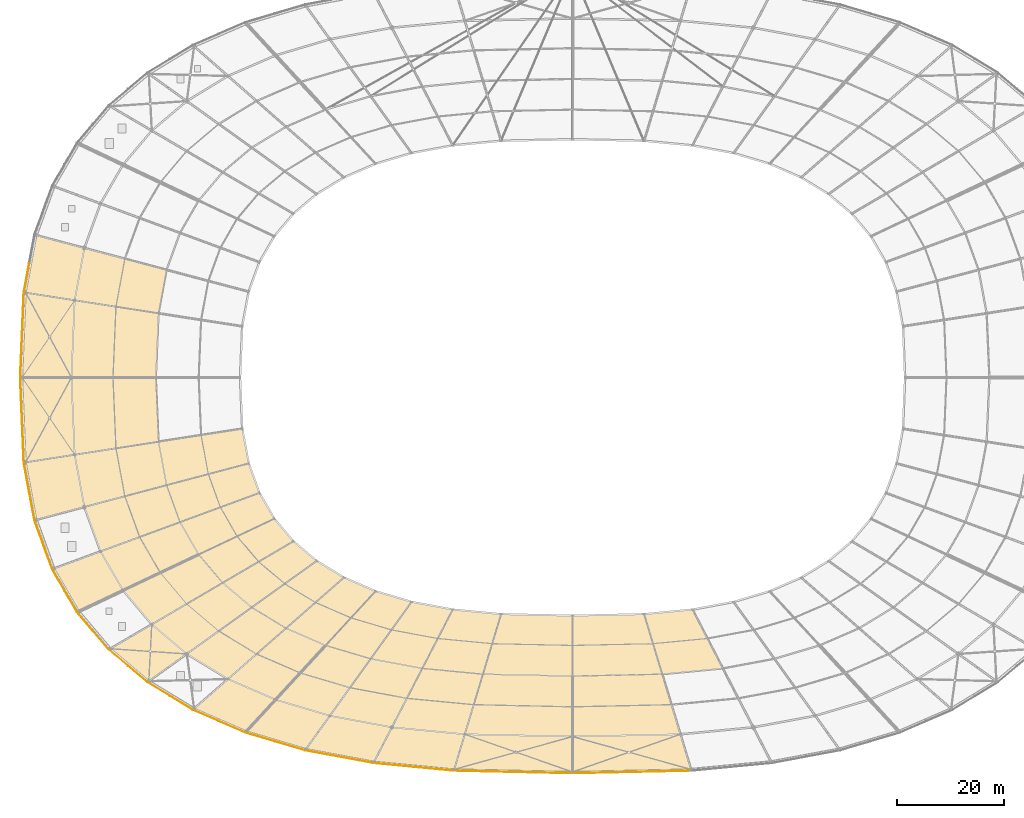
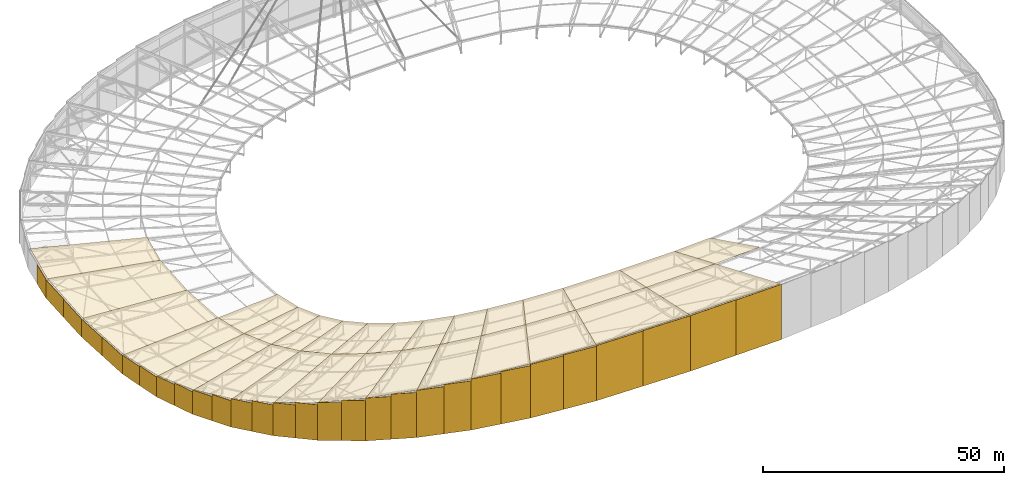
# One storey, part 140 of 143: 57 coverings.
"""IFC4 building model written with IfcOpenShell, lengths in metres."""

from ifc_helpers import new_model, si_unit, direction, frame, origin, origin_2d, place, context, subcontext, project, spatial, polyline, rectangle, outline, extrude, material, layer, layer_set, type_object, element, save


model = new_model("IFC4")

# Units and contexts
model_context = context("Model", 3, precision=1e-05, world=origin(), true_north=direction((0.0, 1.0)))
body_context = subcontext(model_context, "Body", "Model", "MODEL_VIEW")
ifc_project = project(units=[si_unit("LENGTHUNIT", "METRE"), si_unit("AREAUNIT", "SQUARE_METRE"), si_unit("VOLUMEUNIT", "CUBIC_METRE"), si_unit("PLANEANGLEUNIT", "RADIAN"), si_unit("MASSUNIT", "GRAM", prefix="KILO")], contexts=[model_context])

# Site, building, storey
site_placement = place(None, origin())
site = spatial("IfcSite", under=ifc_project, at=site_placement, CompositionType="ELEMENT")
building_placement = place(site_placement, origin())
building = spatial("IfcBuilding", under=site, at=building_placement, Name="Mphavela Belvedere Stadium", CompositionType="ELEMENT")
storey_placement = place(building_placement, frame((0.0, 0.0, 28.800048828125)))
storey = spatial("IfcBuildingStorey", under=building, at=storey_placement, Name="RF", CompositionType="ELEMENT", Elevation=28.800048828125)

# Coverings
ifc_material_1 = material(Name="Carved classical limestone entablature frieze cladding", Category="masonry")
ifc_layer_1 = layer(ifc_material_1, 0.06005859375)
ifc_layer_set_1 = layer_set([ifc_layer_1], Name="Carved classical limestone entablature frieze cladding")
covering_type_1 = type_object("IfcCoveringType", Name="COV-FRIEZE-CLAD", PredefinedType="CLADDING", material=ifc_layer_set_1)
covering_1_placement = place(storey_placement, frame((12.9970703125, 105.587158203125, 0.0), z_axis=(0.0, 0.0, 1.0), x_axis=(-0.182578735093, -0.983191235463, 0.0)))
element("IfcCovering", 1, at=covering_1_placement, inside=storey, type_object=covering_type_1, Name="Classical perforated limestone roof attic screen 23-2", PredefinedType="CLADDING", context=body_context, shape_type="SweptSolid", body=[
    extrude(rectangle(XDim=5.5087890625, YDim=0.080078125, at=origin_2d()), origin(), (0.0, 0.0, 1.0), 4.799560546875),
])
covering_2_placement = place(storey_placement, frame((12.330810546875, 98.924072265625, 0.0), z_axis=(0.0, 0.0, 1.0), x_axis=(-0.041875653729, -0.999122830099, 0.0)))
element("IfcCovering", 2, at=covering_2_placement, inside=storey, type_object=covering_type_1, Name="Classical perforated limestone roof attic screen 24-1", PredefinedType="CLADDING", context=body_context, shape_type="SweptSolid", body=[
    extrude(rectangle(XDim=7.996337890625, YDim=0.080078125, at=origin_2d()), origin(), (0.0, 0.0, 1.0), 4.638671875),
])
for number, where, z_axis, x_axis, name in (
    (3, (11.99755859375, 90.974609375, 0.0), (0.0, 0.0, 1.0), (-0.041875653729, -0.999122830099, 0.0), "Classical perforated limestone roof attic screen 24-2"),
    (4, (11.99755859375, 83.025390625, 0.0), (0.0, 0.0, 1.0), (0.041875653729, -0.999122830099, 0.0), "Classical perforated limestone roof attic screen 25-1"),
):
    element("IfcCovering", number, at=place(storey_placement, frame(where, z_axis=z_axis, x_axis=x_axis)), inside=storey, type_object=covering_type_1, Name=name, PredefinedType="CLADDING", context=body_context, shape_type="SweptSolid", body=[
        extrude(rectangle(XDim=7.996337890625, YDim=0.080078125, at=origin_2d()), origin(), (0.0, 0.0, 1.0), 4.556884765625),
    ])
covering_3_placement = place(storey_placement, frame((12.330810546875, 75.075927734375, 0.0), z_axis=(0.0, 0.0, 1.0), x_axis=(0.041875653729, -0.999122830099, 0.0)))
element("IfcCovering", 5, at=covering_3_placement, inside=storey, type_object=covering_type_1, Name="Classical perforated limestone roof attic screen 25-2", PredefinedType="CLADDING", context=body_context, shape_type="SweptSolid", body=[
    extrude(rectangle(XDim=7.996337890625, YDim=0.080078125, at=origin_2d()), origin(), (0.0, 0.0, 1.0), 4.638671875),
])
covering_4_placement = place(storey_placement, frame((12.9970703125, 68.41259765625, 0.0), z_axis=(0.0, 0.0, 1.0), x_axis=(0.182578735093, -0.983191235463, 0.0)))
element("IfcCovering", 6, at=covering_4_placement, inside=storey, type_object=covering_type_1, Name="Classical perforated limestone roof attic screen 26-1", PredefinedType="CLADDING", context=body_context, shape_type="SweptSolid", body=[
    extrude(rectangle(XDim=5.5087890625, YDim=0.080078125, at=origin_2d()), origin(), (0.0, 0.0, 1.0), 4.799560546875),
])
covering_5_placement = place(storey_placement, frame((13.995849609375, 63.03564453125, 0.0), z_axis=(0.0, 0.0, 1.0), x_axis=(0.182578735093, -0.983191235463, 0.0)))
element("IfcCovering", 7, at=covering_5_placement, inside=storey, type_object=covering_type_1, Name="Classical perforated limestone roof attic screen 26-2", PredefinedType="CLADDING", context=body_context, shape_type="SweptSolid", body=[
    extrude(rectangle(XDim=5.5087890625, YDim=0.080078125, at=origin_2d()), origin(), (0.0, 0.0, 1.0), 5.039306640625),
])
covering_6_placement = place(storey_placement, frame((15.3251953125, 58.0595703125, 0.0), z_axis=(0.0, 0.0, 1.0), x_axis=(0.341035912161, -0.940050268133, 0.0)))
element("IfcCovering", 8, at=covering_6_placement, inside=storey, type_object=covering_type_1, Name="Classical perforated limestone roof attic screen 27-1", PredefinedType="CLADDING", context=body_context, shape_type="SweptSolid", body=[
    extrude(rectangle(XDim=4.9072265625, YDim=0.080078125, at=origin_2d()), origin(), (0.0, 0.0, 1.0), 5.349853515625),
])
covering_7_placement = place(storey_placement, frame((16.985107421875, 53.484130859375, 0.0), z_axis=(0.0, 0.0, 1.0), x_axis=(0.341035912161, -0.940050268133, 0.0)))
element("IfcCovering", 9, at=covering_7_placement, inside=storey, type_object=covering_type_1, Name="Classical perforated limestone roof attic screen 27-2", PredefinedType="CLADDING", context=body_context, shape_type="SweptSolid", body=[
    extrude(rectangle(XDim=4.9072265625, YDim=0.080078125, at=origin_2d()), origin(), (0.0, 0.0, 1.0), 5.731201171875),
])
covering_8_placement = place(storey_placement, frame((18.972412109375, 49.19482421875, 0.0), z_axis=(0.0, 0.0, 1.0), x_axis=(0.500604477892, -0.865676126917, 0.0)))
element("IfcCovering", 10, at=covering_8_placement, inside=storey, type_object=covering_type_1, Name="Classical perforated limestone roof attic screen 28-1", PredefinedType="CLADDING", context=body_context, shape_type="SweptSolid", body=[
    extrude(rectangle(XDim=4.6640625, YDim=0.080078125, at=origin_2d()), origin(), (0.0, 0.0, 1.0), 6.17041015625),
])
covering_9_placement = place(storey_placement, frame((21.286865234375, 45.19189453125, 0.0), z_axis=(0.0, 0.0, 1.0), x_axis=(0.500604477892, -0.865676126917, 0.0)))
element("IfcCovering", 11, at=covering_9_placement, inside=storey, type_object=covering_type_1, Name="Classical perforated limestone roof attic screen 28-2", PredefinedType="CLADDING", context=body_context, shape_type="SweptSolid", body=[
    extrude(rectangle(XDim=4.6640625, YDim=0.080078125, at=origin_2d()), origin(), (0.0, 0.0, 1.0), 6.66748046875),
])
covering_10_placement = place(storey_placement, frame((23.92529296875, 41.436279296875, 0.0), z_axis=(0.0, 0.0, 1.0), x_axis=(0.645191033296, -0.764021289334, 0.0)))
element("IfcCovering", 12, at=covering_10_placement, inside=storey, type_object=covering_type_1, Name="Classical perforated limestone roof attic screen 29-1", PredefinedType="CLADDING", context=body_context, shape_type="SweptSolid", body=[
    extrude(rectangle(XDim=4.631103515625, YDim=0.080078125, at=origin_2d()), origin(), (0.0, 0.0, 1.0), 7.205322265625),
])
covering_11_placement = place(storey_placement, frame((26.887451171875, 37.928466796875, 0.0), z_axis=(0.0, 0.0, 1.0), x_axis=(0.645191033296, -0.764021289334, 0.0)))
element("IfcCovering", 13, at=covering_11_placement, inside=storey, type_object=covering_type_1, Name="Classical perforated limestone roof attic screen 29-2", PredefinedType="CLADDING", context=body_context, shape_type="SweptSolid", body=[
    extrude(rectangle(XDim=4.631103515625, YDim=0.080078125, at=origin_2d()), origin(), (0.0, 0.0, 1.0), 7.7841796875),
])
covering_12_placement = place(storey_placement, frame((30.17041015625, 34.654052734375, 0.0), z_axis=(0.0, 0.0, 1.0), x_axis=(0.764246456939, -0.644924300253, 0.0)))
element("IfcCovering", 14, at=covering_12_placement, inside=storey, type_object=covering_type_1, Name="Classical perforated limestone roof attic screen 30-1", PredefinedType="CLADDING", context=body_context, shape_type="SweptSolid", body=[
    extrude(rectangle(XDim=4.755126953125, YDim=0.080078125, at=origin_2d()), origin(), (0.0, 0.0, 1.0), 8.38427734375),
])
covering_13_placement = place(storey_placement, frame((33.77392578125, 31.61328125, 0.0), z_axis=(0.0, 0.0, 1.0), x_axis=(0.764246456939, -0.644924300253, 0.0)))
element("IfcCovering", 15, at=covering_13_placement, inside=storey, type_object=covering_type_1, Name="Classical perforated limestone roof attic screen 30-2", PredefinedType="CLADDING", context=body_context, shape_type="SweptSolid", body=[
    extrude(rectangle(XDim=4.755126953125, YDim=0.080078125, at=origin_2d()), origin(), (0.0, 0.0, 1.0), 9.00537109375),
])
covering_14_placement = place(storey_placement, frame((37.697509765625, 28.802001953125, 0.0), z_axis=(0.0, 0.0, 1.0), x_axis=(0.854368143929, -0.519668235165, 0.0)))
element("IfcCovering", 16, at=covering_14_placement, inside=storey, type_object=covering_type_1, Name="Classical perforated limestone roof attic screen 31-1", PredefinedType="CLADDING", context=body_context, shape_type="SweptSolid", body=[
    extrude(rectangle(XDim=5.0078125, YDim=0.080078125, at=origin_2d()), origin(), (0.0, 0.0, 1.0), 9.626708984375),
])
covering_15_placement = place(storey_placement, frame((41.941650390625, 26.219970703125, 0.0), z_axis=(0.0, 0.0, 1.0), x_axis=(0.854368143929, -0.519668235165, 0.0)))
element("IfcCovering", 17, at=covering_15_placement, inside=storey, type_object=covering_type_1, Name="Classical perforated limestone roof attic screen 31-2", PredefinedType="CLADDING", context=body_context, shape_type="SweptSolid", body=[
    extrude(rectangle(XDim=5.0078125, YDim=0.080078125, at=origin_2d()), origin(), (0.0, 0.0, 1.0), 10.247802734375),
])
covering_16_placement = place(storey_placement, frame((46.51171875, 23.867919921875, 0.0), z_axis=(0.0, 0.0, 1.0), x_axis=(0.917477140523, -0.397788507398, 0.0)))
element("IfcCovering", 18, at=covering_16_placement, inside=storey, type_object=covering_type_1, Name="Classical perforated limestone roof attic screen 32-1", PredefinedType="CLADDING", context=body_context, shape_type="SweptSolid", body=[
    extrude(rectangle(XDim=5.376220703125, YDim=0.080078125, at=origin_2d()), origin(), (0.0, 0.0, 1.0), 10.84765625),
])
covering_17_placement = place(storey_placement, frame((51.40771484375, 21.745361328125, 0.0), z_axis=(0.0, 0.0, 1.0), x_axis=(0.917477140523, -0.397788507398, 0.0)))
element("IfcCovering", 19, at=covering_17_placement, inside=storey, type_object=covering_type_1, Name="Classical perforated limestone roof attic screen 32-2", PredefinedType="CLADDING", context=body_context, shape_type="SweptSolid", body=[
    extrude(rectangle(XDim=5.376220703125, YDim=0.080078125, at=origin_2d()), origin(), (0.0, 0.0, 1.0), 11.426513671875),
])
covering_18_placement = place(storey_placement, frame((56.649169921875, 19.85498046875, 0.0), z_axis=(0.0, 0.0, 1.0), x_axis=(0.958670893355, -0.284517342588, 0.0)))
element("IfcCovering", 20, at=covering_18_placement, inside=storey, type_object=covering_type_1, Name="Classical perforated limestone roof attic screen 33-1", PredefinedType="CLADDING", context=body_context, shape_type="SweptSolid", body=[
    extrude(rectangle(XDim=5.867919921875, YDim=0.080078125, at=origin_2d()), origin(), (0.0, 0.0, 1.0), 11.964599609375),
])
covering_19_placement = place(storey_placement, frame((62.236083984375, 18.196533203125, 0.0), z_axis=(0.0, 0.0, 1.0), x_axis=(0.958670893355, -0.284517342588, 0.0)))
element("IfcCovering", 21, at=covering_19_placement, inside=storey, type_object=covering_type_1, Name="Classical perforated limestone roof attic screen 33-2", PredefinedType="CLADDING", context=body_context, shape_type="SweptSolid", body=[
    extrude(rectangle(XDim=5.867919921875, YDim=0.080078125, at=origin_2d()), origin(), (0.0, 0.0, 1.0), 12.461669921875),
])
covering_20_placement = place(storey_placement, frame((68.22265625, 16.772705078125, 0.0), z_axis=(0.0, 0.0, 1.0), x_axis=(0.983095502692, -0.183093507769, 0.0)))
element("IfcCovering", 22, at=covering_20_placement, inside=storey, type_object=covering_type_1, Name="Classical perforated limestone roof attic screen 34-1", PredefinedType="CLADDING", context=body_context, shape_type="SweptSolid", body=[
    extrude(rectangle(XDim=6.53564453125, YDim=0.080078125, at=origin_2d()), origin(), (0.0, 0.0, 1.0), 12.90087890625),
])
covering_21_placement = place(storey_placement, frame((74.6083984375, 15.58349609375, 0.0), z_axis=(0.0, 0.0, 1.0), x_axis=(0.983095502692, -0.183093507769, 0.0)))
element("IfcCovering", 23, at=covering_21_placement, inside=storey, type_object=covering_type_1, Name="Classical perforated limestone roof attic screen 34-2", PredefinedType="CLADDING", context=body_context, shape_type="SweptSolid", body=[
    extrude(rectangle(XDim=6.53564453125, YDim=0.080078125, at=origin_2d()), origin(), (0.0, 0.0, 1.0), 13.2822265625),
])
covering_22_placement = place(storey_placement, frame((81.553466796875, 14.631103515625, 0.0), z_axis=(0.0, 0.0, 1.0), x_axis=(0.995479460536, -0.094977069084, 0.0)))
element("IfcCovering", 24, at=covering_22_placement, inside=storey, type_object=covering_type_1, Name="Classical perforated limestone roof attic screen 35-1", PredefinedType="CLADDING", context=body_context, shape_type="SweptSolid", body=[
    extrude(rectangle(XDim=7.57861328125, YDim=0.080078125, at=origin_2d()), origin(), (0.0, 0.0, 1.0), 13.5927734375),
])
covering_23_placement = place(storey_placement, frame((89.05810546875, 13.915283203125, 0.0), z_axis=(0.0, 0.0, 1.0), x_axis=(0.995479460536, -0.094977069084, 0.0)))
element("IfcCovering", 25, at=covering_23_placement, inside=storey, type_object=covering_type_1, Name="Classical perforated limestone roof attic screen 35-2", PredefinedType="CLADDING", context=body_context, shape_type="SweptSolid", body=[
    extrude(rectangle(XDim=7.57861328125, YDim=0.080078125, at=origin_2d()), origin(), (0.0, 0.0, 1.0), 13.83251953125),
])
covering_24_placement = place(storey_placement, frame((98.357666015625, 13.438232421875, 0.0), z_axis=(0.0, 0.0, 1.0), x_axis=(0.999769581002, -0.02146590093, 0.0)))
element("IfcCovering", 26, at=covering_24_placement, inside=storey, type_object=covering_type_1, Name="Classical perforated limestone roof attic screen 36-1", PredefinedType="CLADDING", context=body_context, shape_type="SweptSolid", body=[
    extrude(rectangle(XDim=11.137451171875, YDim=0.080078125, at=origin_2d()), origin(), (0.0, 0.0, 1.0), 13.993408203125),
])
for number, where, z_axis, x_axis, name in (
    (27, (109.45263671875, 13.19921875, 0.0), (0.0, 0.0, 1.0), (0.999769581002, -0.02146590093, 0.0), "Classical perforated limestone roof attic screen 36-2"),
    (28, (120.54736328125, 13.19921875, 0.0), (0.0, 0.0, 1.0), (0.999769581002, 0.02146590093, 0.0), "Classical perforated limestone roof attic screen 37-1"),
):
    element("IfcCovering", number, at=place(storey_placement, frame(where, z_axis=z_axis, x_axis=x_axis)), inside=storey, type_object=covering_type_1, Name=name, PredefinedType="CLADDING", context=body_context, shape_type="SweptSolid", body=[
        extrude(rectangle(XDim=11.137451171875, YDim=0.080078125, at=origin_2d()), origin(), (0.0, 0.0, 1.0), 14.0751953125),
    ])
covering_25_placement = place(storey_placement, frame((131.64208984375, 13.438232421875, 0.0), z_axis=(0.0, 0.0, 1.0), x_axis=(0.999769581002, 0.02146590093, 0.0)))
element("IfcCovering", 29, at=covering_25_placement, inside=storey, type_object=covering_type_1, Name="Classical perforated limestone roof attic screen 37-2", PredefinedType="CLADDING", context=body_context, shape_type="SweptSolid", body=[
    extrude(rectangle(XDim=11.137451171875, YDim=0.080078125, at=origin_2d()), origin(), (0.0, 0.0, 1.0), 13.993408203125),
])
ifc_material_2 = material(Name="Translucent polycarbonate roof panel")
ifc_layer_2 = layer(ifc_material_2, 0.0400390625)
ifc_layer_set_2 = layer_set([ifc_layer_2], Name="Translucent polycarbonate roof panel")
covering_type_2 = type_object("IfcCoveringType", Name="COV-ROOF-POLY", PredefinedType="ROOFING", material=ifc_layer_set_2)
covering_26_placement = place(storey_placement, frame((39.167724609375, 107.10986328125, 3.47216796875), z_axis=(0.056154244262, -0.055032730131, 0.996904257923), x_axis=(-0.18243819098, -0.982234706245, -0.043946425573)))
element("IfcCovering", 30, at=covering_26_placement, inside=storey, type_object=covering_type_2, Name="Saddle canopy UV polycarbonate covering 23-2", PredefinedType="ROOFING", context=body_context, shape_type="SweptSolid", body=[
    extrude(outline(polyline([(0.0, 0.0), (8.260768981880847, -1.0408340855860843e-16), (8.936675182274932, -25.155397392929643), (-1.9747544067622829, -25.155086016875813), (0.0, 0.0)])), origin(), (0.0, 0.0, -1.0), 0.0400390625),
])
covering_27_placement = place(storey_placement, frame((37.66064453125, 98.995849609375, 3.109130859375), z_axis=(0.062755003726, -0.012940970065, 0.997945059009), x_axis=(-0.041906011474, -0.999068254647, -0.010320308094)))
element("IfcCovering", 31, at=covering_27_placement, inside=storey, type_object=covering_type_2, Name="Saddle canopy UV polycarbonate covering 24-2", PredefinedType="ROOFING", context=body_context, shape_type="SweptSolid", body=[
    extrude(outline(polyline([(0.0, 0.0), (12.007038500545576, -9.194034422677078e-17), (13.037536391066807, -25.005658295657852), (-2.822207643233269, -25.00571956962916), (0.0, 0.0)])), origin(), (0.0, 0.0, -1.0), 0.0400390625),
])
covering_28_placement = place(storey_placement, frame((37.157470703125, 87.0, 2.985107421875), z_axis=(0.062755003726, 0.012940970065, 0.997945059009), x_axis=(0.041906011474, -0.999068254647, 0.010320308094)))
element("IfcCovering", 32, at=covering_28_placement, inside=storey, type_object=covering_type_2, Name="Saddle canopy UV polycarbonate covering 25-2", PredefinedType="ROOFING", context=body_context, shape_type="SweptSolid", body=[
    extrude(outline(polyline([(0.0, 0.0), (12.007038500545576, 9.194034422677078e-17), (14.829246143778846, -25.00571956962916), (-1.0304978905212312, -25.005658295657856), (0.0, 0.0)])), origin(), (0.0, 0.0, -1.0), 0.0400390625),
])
covering_29_placement = place(storey_placement, frame((53.3212890625, 77.43310546875, 2.092529296875), z_axis=(0.056164272508, 0.0550547547, 0.996902476915), x_axis=(0.182443772606, -0.982232795792, 0.043965949412)))
element("IfcCovering", 33, at=covering_29_placement, inside=storey, type_object=covering_type_2, Name="Saddle canopy UV polycarbonate covering 26-1", PredefinedType="ROOFING", context=body_context, shape_type="SweptSolid", body=[
    extrude(outline(polyline([(0.0, 0.0), (6.587757884317763, 3.226585665316861e-16), (7.834077100659961, -15.874766632555215), (-0.42669187961918353, -15.874729057762822), (0.0, 0.0)])), origin(), (0.0, 0.0, -1.0), 0.0400390625),
])
covering_30_placement = place(storey_placement, frame((37.66064453125, 75.004150390625, 3.109130859375), z_axis=(0.056154244262, 0.055032730131, 0.996904257923), x_axis=(0.18243819098, -0.982234706245, 0.043946425573)))
element("IfcCovering", 34, at=covering_30_placement, inside=storey, type_object=covering_type_2, Name="Saddle canopy UV polycarbonate covering 26-2", PredefinedType="ROOFING", context=body_context, shape_type="SweptSolid", body=[
    extrude(outline(polyline([(0.0, 0.0), (8.260768981880847, 1.0408340855860843e-16), (10.23552338864313, -25.155086016875817), (-0.6759062003940843, -25.155397392929647), (0.0, 0.0)])), origin(), (0.0, 0.0, -1.0), 0.0400390625),
])
covering_31_placement = place(storey_placement, frame((54.523193359375, 70.96240234375, 2.38232421875), z_axis=(0.044251671248, 0.099185327266, 0.994084533854), x_axis=(0.340014874302, -0.937148983878, 0.078368790151)))
element("IfcCovering", 35, at=covering_31_placement, inside=storey, type_object=covering_type_2, Name="Saddle canopy UV polycarbonate covering 27-1", PredefinedType="ROOFING", context=body_context, shape_type="SweptSolid", body=[
    extrude(outline(polyline([(0.0, 0.0), (5.875635604742094, -4.163336342344337e-17), (6.047943325037904, -15.868980489131248), (-1.3193584481840013, -15.868863240229345), (0.0, 0.0)])), origin(), (0.0, 0.0, -1.0), 0.0400390625),
])
covering_32_placement = place(storey_placement, frame((39.167724609375, 66.89013671875, 3.47216796875), z_axis=(0.044245308, 0.099200765104, 0.994083276654), x_axis=(0.340000664528, -0.937152648351, 0.078386617544)))
element("IfcCovering", 36, at=covering_32_placement, inside=storey, type_object=covering_type_2, Name="Saddle canopy UV polycarbonate covering 27-2", PredefinedType="ROOFING", context=body_context, shape_type="SweptSolid", body=[
    extrude(outline(polyline([(0.0, 0.0), (7.367301773413963, 2.220446049250313e-16), (7.640832806532961, -25.146073754961183), (-2.0905256807669184, -25.145729455522236), (0.0, 0.0)])), origin(), (0.0, 0.0, -1.0), 0.0400390625),
])
covering_33_placement = place(storey_placement, frame((56.52099609375, 65.4560546875, 2.8427734375), z_axis=(0.028856356997, 0.140011464477, 0.989729306667), x_axis=(0.497643603936, -0.860725094897, 0.107252759761)))
element("IfcCovering", 37, at=covering_33_placement, inside=storey, type_object=covering_type_2, Name="Saddle canopy UV polycarbonate covering 28-1", PredefinedType="ROOFING", context=body_context, shape_type="SweptSolid", body=[
    extrude(outline(polyline([(0.0, 0.0), (5.597177419716359, -3.191891195797325e-16), (4.466977256564428, -15.663177329598065), (-2.5514232128908825, -15.66347570953079), (0.0, 0.0)])), origin(), (0.0, 0.0, -1.0), 0.0400390625),
])
covering_34_placement = place(storey_placement, frame((41.672607421875, 59.98583984375, 4.049560546875), z_axis=(0.028862152723, 0.140004301385, 0.989730150967), x_axis=(0.49768019511, -0.860705565907, 0.107239695134)))
element("IfcCovering", 38, at=covering_34_placement, inside=storey, type_object=covering_type_2, Name="Saddle canopy UV polycarbonate covering 28-2", PredefinedType="ROOFING", context=body_context, shape_type="SweptSolid", body=[
    extrude(outline(polyline([(0.0, 0.0), (7.018400475773272, 3.0531133177191805e-16), (5.226613501522987, -24.820291656156545), (-4.043962762223195, -24.82027819553575), (0.0, 0.0)])), origin(), (0.0, 0.0, -1.0), 0.0400390625),
])
covering_35_placement = place(storey_placement, frame((59.306396484375, 60.638427734375, 3.443115234375), z_axis=(0.012499055619, 0.173574574961, 0.984741407952), x_axis=(0.6400544145, -0.758012864044, 0.125486431227)))
element("IfcCovering", 39, at=covering_35_placement, inside=storey, type_object=covering_type_2, Name="Saddle canopy UV polycarbonate covering 29-1", PredefinedType="ROOFING", context=body_context, shape_type="SweptSolid", body=[
    extrude(outline(polyline([(0.0, 0.0), (5.569368925132809, 4.996003610813204e-16), (3.1767967242217043, -15.235350172096124), (-3.8067207272916477, -15.235529322913774), (0.0, 0.0)])), origin(), (0.0, 0.0, -1.0), 0.0400390625),
])
covering_36_placement = place(storey_placement, frame((45.16552734375, 53.945068359375, 4.80224609375), z_axis=(0.012483112725, 0.173591051891, 0.984738705749), x_axis=(0.640074409653, -0.757992736839, 0.125506019804)))
element("IfcCovering", 40, at=covering_36_placement, inside=storey, type_object=covering_type_2, Name="Saddle canopy UV polycarbonate covering 29-2", PredefinedType="ROOFING", context=body_context, shape_type="SweptSolid", body=[
    extrude(outline(polyline([(0.0, 0.0), (6.98351745546173, 1.0269562977782698e-15), (3.19152392636825, -24.142724802360686), (-6.0326516070483684, -24.142586709938033), (0.0, 0.0)])), origin(), (0.0, 0.0, -1.0), 0.0400390625),
])
covering_37_placement = place(storey_placement, frame((62.87109375, 56.416748046875, 4.141845703125), z_axis=(-0.002399905899, 0.198067178386, 0.980185509635), x_axis=(0.757684743697, -0.639328589007, 0.131044971089)))
element("IfcCovering", 41, at=covering_37_placement, inside=storey, type_object=covering_type_2, Name="Saddle canopy UV polycarbonate covering 30-1", PredefinedType="ROOFING", context=body_context, shape_type="SweptSolid", body=[
    extrude(outline(polyline([(0.0, 0.0), (5.723903614211194, -9.71445146547012e-17), (2.314591764863128, -14.635831257513168), (-4.8625365759486545, -14.635437630919384), (0.0, 0.0)])), origin(), (0.0, 0.0, -1.0), 0.0400390625),
])
covering_38_placement = place(storey_placement, frame((49.635498046875, 48.651611328125, 5.6787109375), z_axis=(-0.002392054769, 0.198047747663, 0.980189455013), x_axis=(0.757648995264, -0.639373077979, 0.131034602797)))
element("IfcCovering", 42, at=covering_38_placement, inside=storey, type_object=covering_type_2, Name="Saddle canopy UV polycarbonate covering 30-2", PredefinedType="ROOFING", context=body_context, shape_type="SweptSolid", body=[
    extrude(outline(polyline([(0.0, 0.0), (7.177128353319401, -1.1657341758564144e-15), (1.7759581672517495, -23.192195402589864), (-7.704161750379658, -23.192590789533337), (0.0, 0.0)])), origin(), (0.0, 0.0, -1.0), 0.0400390625),
])
covering_39_placement = place(storey_placement, frame((67.2080078125, 52.75732421875, 4.89208984375), z_axis=(-0.013733179277, 0.213217345018, 0.976908267736), x_axis=(0.847661594351, -0.51572778505, 0.124477601161)))
element("IfcCovering", 43, at=covering_39_placement, inside=storey, type_object=covering_type_2, Name="Saddle canopy UV polycarbonate covering 31-1", PredefinedType="ROOFING", context=body_context, shape_type="SweptSolid", body=[
    extrude(outline(polyline([(0.0, 0.0), (6.0253073712629135, 2.7755575615628914e-17), (1.967979164618128, -13.95025226636353), (-5.587159112795013, -13.950434292798048), (0.0, 0.0)])), origin(), (0.0, 0.0, -1.0), 0.0400390625),
])
covering_40_placement = place(storey_placement, frame((55.0732421875, 44.062744140625, 6.619140625), z_axis=(-0.013732704437, 0.21322645444, 0.976906286169), x_axis=(0.847674309717, -0.515706824103, 0.124477854334)))
element("IfcCovering", 44, at=covering_40_placement, inside=storey, type_object=covering_type_2, Name="Saddle canopy UV polycarbonate covering 31-2", PredefinedType="ROOFING", context=body_context, shape_type="SweptSolid", body=[
    extrude(outline(polyline([(0.0, 0.0), (7.555138279601496, -5.828670879282072e-16), (1.125264297541194, -22.10545377288267), (-8.853982437199763, -22.105600240046222), (0.0, 0.0)])), origin(), (0.0, 0.0, -1.0), 0.0400390625),
])
covering_41_placement = place(storey_placement, frame((72.3154296875, 49.64990234375, 5.64208984375), z_axis=(-0.020204280881, 0.220276327058, 0.975228243424), x_axis=(0.912114152586, -0.395397621175, 0.108205793839)))
element("IfcCovering", 45, at=covering_41_placement, inside=storey, type_object=covering_type_2, Name="Saddle canopy UV polycarbonate covering 32-1", PredefinedType="ROOFING", context=body_context, shape_type="SweptSolid", body=[
    extrude(outline(polyline([(0.0, 0.0), (6.45981593237783, -3.608224830031759e-16), (2.1718225879298805, -13.263682883832265), (-5.928197744109233, -13.263782340583807), (0.0, 0.0)])), origin(), (0.0, 0.0, -1.0), 0.0400390625),
])
covering_42_placement = place(storey_placement, frame((61.4775390625, 40.16650390625, 7.5595703125), z_axis=(-0.020202543556, 0.220281385412, 0.975227136863), x_axis=(0.912119169022, -0.395386554404, 0.108203946782)))
element("IfcCovering", 46, at=covering_42_placement, inside=storey, type_object=covering_type_2, Name="Saddle canopy UV polycarbonate covering 32-2", PredefinedType="ROOFING", context=body_context, shape_type="SweptSolid", body=[
    extrude(outline(polyline([(0.0, 0.0), (8.100020332656722, -2.220446049250313e-16), (1.3049359001734622, -21.01790024660058), (-9.39418244809289, -21.01769973290086), (0.0, 0.0)])), origin(), (0.0, 0.0, -1.0), 0.0400390625),
])
covering_43_placement = place(storey_placement, frame((78.20751953125, 47.095703125, 6.341064453125), z_axis=(-0.02136301792, 0.22128636647, 0.974974853768), x_axis=(0.955175670679, -0.283492592206, 0.085272435795)))
element("IfcCovering", 47, at=covering_43_placement, inside=storey, type_object=covering_type_2, Name="Saddle canopy UV polycarbonate covering 33-1", PredefinedType="ROOFING", context=body_context, shape_type="SweptSolid", body=[
    extrude(outline(polyline([(0.0, 0.0), (7.039415652952659, 4.3021142204224816e-16), (2.954794330745301, -12.642734798396607), (-5.8721134069264105, -12.642406997704704), (0.0, 0.0)])), origin(), (0.0, 0.0, -1.0), 0.0400390625),
])
covering_44_placement = place(storey_placement, frame((68.86572265625, 36.9638671875, 8.43603515625), z_axis=(-0.02135179677, 0.221287117416, 0.974974929134), x_axis=(0.955164929305, -0.283529569935, 0.085269811767)))
element("IfcCovering", 48, at=covering_44_placement, inside=storey, type_object=covering_type_2, Name="Saddle canopy UV polycarbonate covering 33-2", PredefinedType="ROOFING", context=body_context, shape_type="SweptSolid", body=[
    extrude(outline(polyline([(0.0, 0.0), (8.82690774406509, 4.163336342344337e-16), (2.3546392311342843, -20.03384431213435), (-9.304321251224287, -20.033844096290373), (0.0, 0.0)])), origin(), (0.0, 0.0, -1.0), 0.0400390625),
])
covering_45_placement = place(storey_placement, frame((84.931396484375, 45.10009765625, 6.94140625), z_axis=(-0.017716384697, 0.218808731373, 0.975606923299), x_axis=(0.981391537632, -0.182787366369, 0.058816907092)))
element("IfcCovering", 49, at=covering_45_placement, inside=storey, type_object=covering_type_2, Name="Saddle canopy UV polycarbonate covering 34-1", PredefinedType="ROOFING", context=body_context, shape_type="SweptSolid", body=[
    extrude(outline(polyline([(0.0, 0.0), (7.830774862642115, -1.1102230246251565e-16), (4.403319004744994, -12.132280217011811), (-5.415615253726579, -12.132352860810734), (0.0, 0.0)])), origin(), (0.0, 0.0, -1.0), 0.0400390625),
])
covering_46_placement = place(storey_placement, frame((77.296875, 34.461181640625, 9.188720703125), z_axis=(-0.017728133813, 0.218818356617, 0.975604551075), x_axis=(0.981392714147, -0.18277733663, 0.058828444091)))
element("IfcCovering", 50, at=covering_46_placement, inside=storey, type_object=covering_type_2, Name="Saddle canopy UV polycarbonate covering 34-2", PredefinedType="ROOFING", context=body_context, shape_type="SweptSolid", body=[
    extrude(outline(polyline([(0.0, 0.0), (9.81893425968205, -2.498001805406602e-16), (4.387565532879385, -19.22449784387735), (-8.582237834766785, -19.224733323874474), (0.0, 0.0)])), origin(), (0.0, 0.0, -1.0), 0.0400390625),
])
covering_47_placement = place(storey_placement, frame((92.616455078125, 43.668701171875, 7.40185546875), z_axis=(-0.010754843789, 0.215397933483, 0.9764671339), x_axis=(0.99497894727, -0.09486931148, 0.031885862528)))
element("IfcCovering", 51, at=covering_47_placement, inside=storey, type_object=covering_type_2, Name="Saddle canopy UV polycarbonate covering 35-1", PredefinedType="ROOFING", context=body_context, shape_type="SweptSolid", body=[
    extrude(outline(polyline([(0.0, 0.0), (9.076826638660473, -9.71445146547012e-17), (6.845965090931907, -11.763015673818451), (-4.535648147716331, -11.762974657937733), (0.0, 0.0)])), origin(), (0.0, 0.0, -1.0), 0.0400390625),
])
covering_48_placement = place(storey_placement, frame((86.93310546875, 32.66650390625, 9.766357421875), z_axis=(-0.01075163302, 0.215405210828, 0.976465563927), x_axis=(0.994978615076, -0.094873342491, 0.031884234758)))
element("IfcCovering", 52, at=covering_48_placement, inside=storey, type_object=covering_type_2, Name="Saddle canopy UV polycarbonate covering 35-2", PredefinedType="ROOFING", context=body_context, shape_type="SweptSolid", body=[
    extrude(outline(polyline([(0.0, 0.0), (11.381613239010411, -8.326672684688674e-17), (7.846593059561644, -18.63959546570784), (-7.187174114346761, -18.63935652953463), (0.0, 0.0)])), origin(), (0.0, 0.0, -1.0), 0.0400390625),
])
covering_49_placement = place(storey_placement, frame((101.647705078125, 42.8076171875, 7.69140625), z_axis=(-0.002641050569, 0.213073375177, 0.977032630797), x_axis=(0.999740814081, -0.021530802958, 0.007397917608)))
element("IfcCovering", 53, at=covering_49_placement, inside=storey, type_object=covering_type_2, Name="Saddle canopy UV polycarbonate covering 36-1", PredefinedType="ROOFING", context=body_context, shape_type="SweptSolid", body=[
    extrude(outline(polyline([(0.0, 0.0), (13.35575608093119, -6.938893903907228e-18), (13.61714060358537, -11.556227634205616), (-3.1296278081659983, -11.556414268979767), (0.0, 0.0)])), origin(), (0.0, 0.0, -1.0), 0.0400390625),
])
covering_50_placement = place(storey_placement, frame((98.257568359375, 31.586669921875, 10.129150390625), z_axis=(-0.002644772133, 0.213078371412, 0.977031531127), x_axis=(0.999741055886, -0.021519099627, 0.007399292405)))
element("IfcCovering", 54, at=covering_50_placement, inside=storey, type_object=covering_type_2, Name="Saddle canopy UV polycarbonate covering 36-2", PredefinedType="ROOFING", context=body_context, shape_type="SweptSolid", body=[
    extrude(outline(polyline([(0.0, 0.0), (16.74676841334335, -3.469446951953614e-18), (17.160757585296146, -18.312185160259478), (-4.959472969721612, -18.312141181608617), (0.0, 0.0)])), origin(), (0.0, 0.0, -1.0), 0.0400390625),
])
covering_51_placement = place(storey_placement, frame((115.0, 42.52001953125, 7.7900390625), z_axis=(0.002641050569, 0.213073375177, 0.977032630797), x_axis=(0.999740814081, 0.021530802958, -0.007397917608)))
element("IfcCovering", 55, at=covering_51_placement, inside=storey, type_object=covering_type_2, Name="Saddle canopy UV polycarbonate covering 37-1", PredefinedType="ROOFING", context=body_context, shape_type="SweptSolid", body=[
    extrude(outline(polyline([(0.0, 0.0), (13.35575608093119, 6.938893903907228e-18), (16.48538388909719, -11.556414268979768), (-0.261384522654181, -11.556227634205616), (0.0, 0.0)])), origin(), (0.0, 0.0, -1.0), 0.0400390625),
])
covering_52_placement = place(storey_placement, frame((115.0, 31.226318359375, 10.253173828125), z_axis=(0.002644772133, 0.213078371412, 0.977031531127), x_axis=(0.999741055886, 0.021519099627, -0.007399292405)))
element("IfcCovering", 56, at=covering_52_placement, inside=storey, type_object=covering_type_2, Name="Saddle canopy UV polycarbonate covering 37-2", PredefinedType="ROOFING", context=body_context, shape_type="SweptSolid", body=[
    extrude(outline(polyline([(0.0, 0.0), (16.74676841334335, 3.469446951953614e-18), (21.706241383064963, -18.312141181608617), (-0.41398917195279805, -18.312185160259475), (0.0, 0.0)])), origin(), (0.0, 0.0, -1.0), 0.0400390625),
])
covering_53_placement = place(storey_placement, frame((128.352294921875, 42.8076171875, 7.69140625), z_axis=(0.010754843789, 0.215397933483, 0.9764671339), x_axis=(0.99497894727, 0.09486931148, -0.031885862528)))
element("IfcCovering", 57, at=covering_53_placement, inside=storey, type_object=covering_type_2, Name="Saddle canopy UV polycarbonate covering 38-1", PredefinedType="ROOFING", context=body_context, shape_type="SweptSolid", body=[
    extrude(outline(polyline([(0.0, 0.0), (9.076826638660473, 9.71445146547012e-17), (13.612474786376803, -11.762974657937733), (2.2308615477285656, -11.763015673818451), (0.0, 0.0)])), origin(), (0.0, 0.0, -1.0), 0.0400390625),
])

save(model, "model.ifc")
